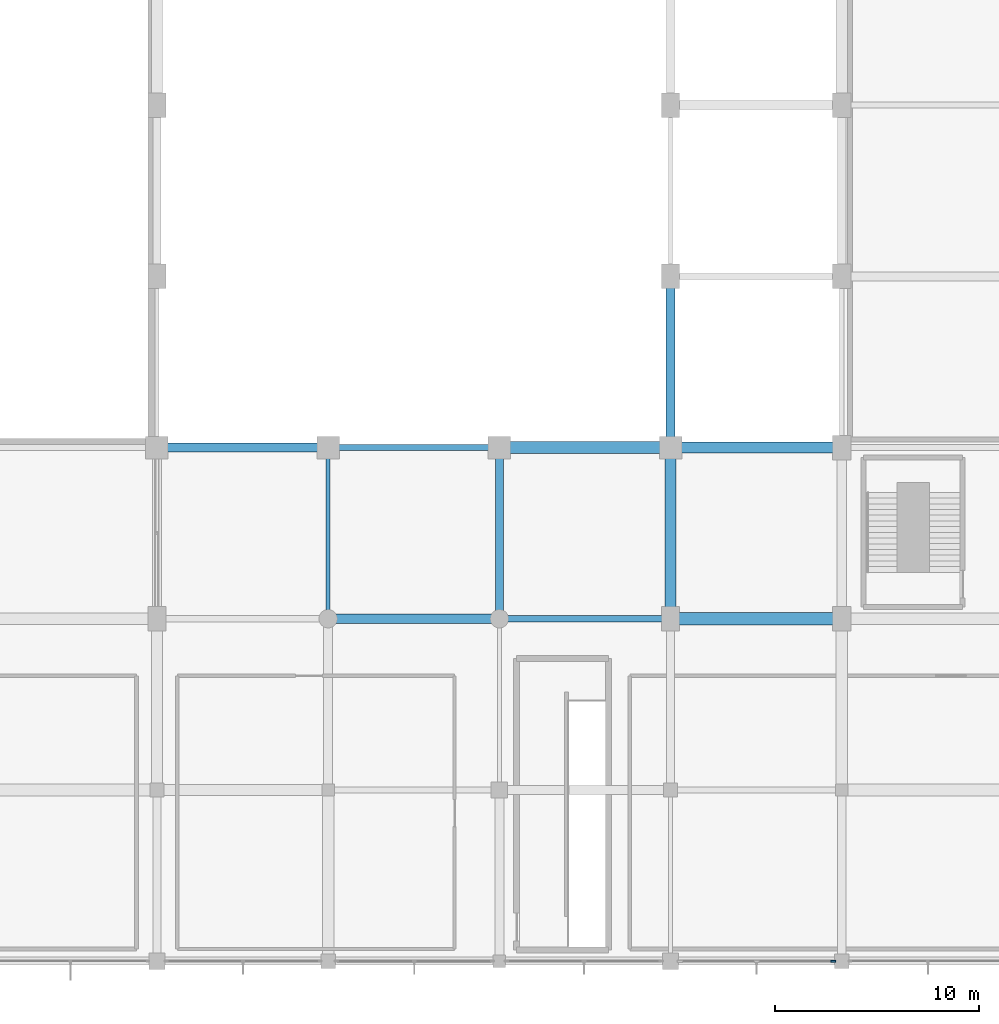
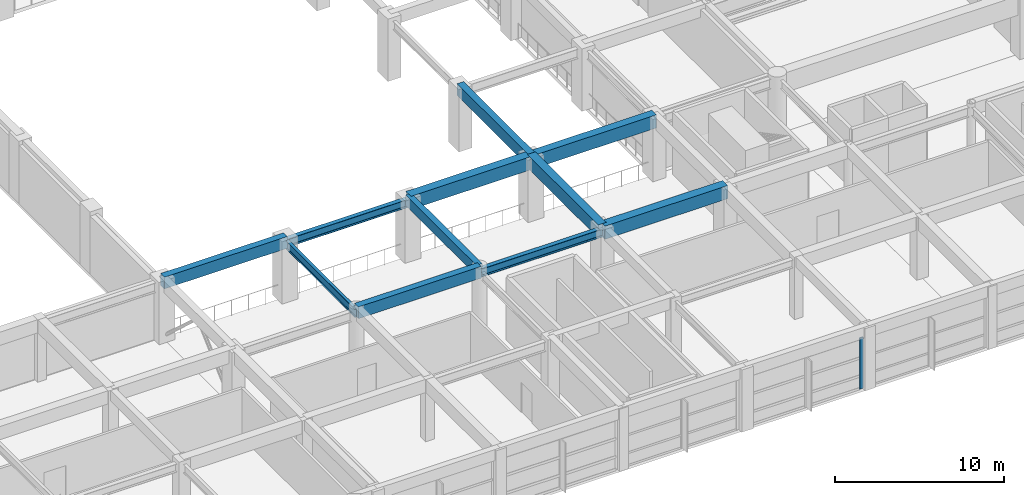
# One storey, part 17 of 56: 11 beams, 1 member, 1 element without a shape of its own.
"""IFC4 building model written with IfcOpenShell, lengths in metres."""

from ifc_helpers import new_model, si_unit, direction, frame, origin, origin_2d, place, context, subcontext, project, spatial, rectangle, i_section, extrude, material, material_profile, profile_set, type_object, element, aggregate, save


model = new_model("IFC4")

# Units and contexts
model_context = context("Model", 3, precision=1e-05, world=origin(), true_north=direction((0.0, 1.0)))
body_context = subcontext(model_context, "Body", "Model", "MODEL_VIEW")
ifc_project = project(units=[si_unit("LENGTHUNIT", "METRE"), si_unit("AREAUNIT", "SQUARE_METRE"), si_unit("VOLUMEUNIT", "CUBIC_METRE"), si_unit("PLANEANGLEUNIT", "RADIAN"), si_unit("MASSUNIT", "GRAM", prefix="KILO")], contexts=[model_context])

# Site, building, storey
site_placement = place(None, origin())
site = spatial("IfcSite", under=ifc_project, at=site_placement, CompositionType="ELEMENT")
building_placement = place(site_placement, origin())
building = spatial("IfcBuilding", under=site, at=building_placement, Name="Xuanlan Plaza Opera House", CompositionType="ELEMENT")
storey_placement = place(building_placement, frame((0.0, 0.0, 18.89990234375)))
storey = spatial("IfcBuildingStorey", under=building, at=storey_placement, Name="L04", CompositionType="ELEMENT", Elevation=18.89990234375)

# Curtain wall, member
ifc_material_1 = material(Name="Anodised Aluminium 6063-T6 and Low-E Glass", Category="aluminium")
curtain_wall_type = type_object("IfcCurtainWallType", Name="ENV-CW-CW-06", PredefinedType="USERDEFINED", material=ifc_material_1)
curtain_wall_placement = place(storey_placement, origin())
curtain_wall = element("IfcCurtainWall", 1, at=curtain_wall_placement, inside=storey, type_object=curtain_wall_type, Name="Acoustic Glazed Wall L04-009", ObjectType="ACOUSTIC GLAZED WALL", PredefinedType="USERDEFINED")
ifc_material_2 = material(Name="Anodised Aluminium 6063-T6", Category="aluminium")
ifc_material_profile_1 = material_profile(ifc_material_2, rectangle(XDim=0.090087890625, YDim=0.25, at=origin_2d()), Name="ALU-M 90x250")
ifc_profile_set_1 = profile_set([ifc_material_profile_1], Name="Anodised Aluminium 6063-T6")
member_type = type_object("IfcMemberType", Name="ENV-CWM-05", PredefinedType="MULLION", material=ifc_profile_set_1)
member_placement = place(storey_placement, frame((100.385009765625, 16.800048828125, 0.0), z_axis=(0.0, 0.0, 1.0), x_axis=(0.0, 1.0, 0.0)))
member = element("IfcMember", 2, at=member_placement, type_object=member_type, Name="CW-06 mullion 3", PredefinedType="MULLION", context=body_context, shape_type="SweptSolid", body=[
    extrude(rectangle(XDim=0.090087890625, YDim=0.25, at=origin_2d()), origin(), (0.0, 0.0, 1.0), 3.68017578125),
])
aggregate(curtain_wall, [member])

# Beams
ifc_material_3 = material(Name="Concrete C50", Category="concrete")
ifc_material_profile_2 = material_profile(ifc_material_3, rectangle(XDim=0.60009765625, YDim=0.949951171875, at=origin_2d()), Name="RC-BM 600x950")
ifc_profile_set_2 = profile_set([ifc_material_profile_2], Name="Concrete C50")
beam_type_1 = type_object("IfcBeamType", Name="STR-BM-B-01", PredefinedType="BEAM", material=ifc_profile_set_2)
beam_1_placement = place(storey_placement, frame((92.39990234375, 33.60009765625, 4.025146484375), z_axis=(1.0, 0.0, 0.0), x_axis=(0.0, 1.0, 0.0)))
element("IfcBeam", 3, at=beam_1_placement, inside=storey, type_object=beam_type_1, Name="Grid Beam X L04 12-13/E", PredefinedType="BEAM", context=body_context, shape_type="SweptSolid", body=[
    extrude(rectangle(XDim=0.60009765625, YDim=0.949951171875, at=origin_2d()), origin(), (0.0, 0.0, 1.0), 8.400146484375),
])
beam_2_placement = place(storey_placement, frame((84.0, 42.0, 4.025146484375), z_axis=(1.0, 0.0, 0.0), x_axis=(0.0, 1.0, 0.0)))
element("IfcBeam", 4, at=beam_2_placement, inside=storey, type_object=beam_type_1, Name="Grid Beam X L04 11-12/F", PredefinedType="BEAM", context=body_context, shape_type="SweptSolid", body=[
    extrude(rectangle(XDim=0.60009765625, YDim=0.949951171875, at=origin_2d()), origin(), (0.0, 0.0, 1.0), 8.39990234375),
])
ifc_material_profile_3 = material_profile(ifc_material_3, rectangle(XDim=0.550048828125, YDim=0.949951171875, at=origin_2d()), Name="RC-BM 550x950")
ifc_profile_set_3 = profile_set([ifc_material_profile_3], Name="Concrete C50")
beam_type_2 = type_object("IfcBeamType", Name="STR-BM-B-02", PredefinedType="BEAM", material=ifc_profile_set_3)
beam_3_placement = place(storey_placement, frame((92.39990234375, 42.0, 4.025146484375), z_axis=(1.0, 0.0, 0.0), x_axis=(0.0, 1.0, 0.0)))
element("IfcBeam", 5, at=beam_3_placement, inside=storey, type_object=beam_type_2, Name="Grid Beam X L04 12-13/F", PredefinedType="BEAM", context=body_context, shape_type="SweptSolid", body=[
    extrude(rectangle(XDim=0.550048828125, YDim=0.949951171875, at=origin_2d()), origin(), (0.0, 0.0, 1.0), 8.400146484375),
])
beam_4_placement = place(storey_placement, frame((92.39990234375, 33.60009765625, 4.025146484375), z_axis=(0.0, 1.0, 0.0), x_axis=(-1.0, 0.0, 0.0)))
element("IfcBeam", 6, at=beam_4_placement, inside=storey, type_object=beam_type_2, Name="Grid Beam Y L04 12/E-F", PredefinedType="BEAM", context=body_context, shape_type="SweptSolid", body=[
    extrude(rectangle(XDim=0.550048828125, YDim=0.949951171875, at=origin_2d()), origin(), (0.0, 0.0, 1.0), 8.39990234375),
])
ifc_material_4 = material(Name="Concrete C40", Category="concrete")
ifc_material_profile_4 = material_profile(ifc_material_4, rectangle(XDim=0.449951171875, YDim=0.85009765625, at=origin_2d()), Name="RC-BM 450x850")
ifc_profile_set_4 = profile_set([ifc_material_profile_4], Name="Concrete C40")
beam_type_3 = type_object("IfcBeamType", Name="STR-BM-B-04", PredefinedType="BEAM", material=ifc_profile_set_4)
beam_5_placement = place(storey_placement, frame((75.60009765625, 33.60009765625, 4.0751953125), z_axis=(1.0, 0.0, 0.0), x_axis=(0.0, 1.0, 0.0)))
element("IfcBeam", 7, at=beam_5_placement, inside=storey, type_object=beam_type_3, Name="Grid Beam X L04 10-11/E", PredefinedType="BEAM", context=body_context, shape_type="SweptSolid", body=[
    extrude(rectangle(XDim=0.449951171875, YDim=0.85009765625, at=origin_2d()), origin(), (0.0, 0.0, 1.0), 8.39990234375),
])
beam_6_placement = place(storey_placement, frame((67.199951171875, 42.0, 4.0751953125), z_axis=(1.0, 0.0, 0.0), x_axis=(0.0, 1.0, 0.0)))
element("IfcBeam", 8, at=beam_6_placement, inside=storey, type_object=beam_type_3, Name="Grid Beam X L04 9-10/F", PredefinedType="BEAM", context=body_context, shape_type="SweptSolid", body=[
    extrude(rectangle(XDim=0.449951171875, YDim=0.85009765625, at=origin_2d()), origin(), (0.0, 0.0, 1.0), 8.400146484375),
])
beam_7_placement = place(storey_placement, frame((92.39990234375, 42.0, 4.0751953125), z_axis=(0.0, 1.0, 0.0), x_axis=(-1.0, 0.0, 0.0)))
element("IfcBeam", 9, at=beam_7_placement, inside=storey, type_object=beam_type_3, Name="Grid Beam Y L04 12/F-G", PredefinedType="BEAM", context=body_context, shape_type="SweptSolid", body=[
    extrude(rectangle(XDim=0.449951171875, YDim=0.85009765625, at=origin_2d()), origin(), (0.0, 0.0, 1.0), 8.39990234375),
])
ifc_material_profile_5 = material_profile(ifc_material_4, rectangle(XDim=0.39990234375, YDim=0.75, at=origin_2d()), Name="RC-BM 400x750")
ifc_profile_set_5 = profile_set([ifc_material_profile_5], Name="Concrete C40")
beam_type_4 = type_object("IfcBeamType", Name="STR-BM-B-06", PredefinedType="BEAM", material=ifc_profile_set_5)
beam_8_placement = place(storey_placement, frame((84.0, 33.60009765625, 4.125), z_axis=(0.0, 1.0, 0.0), x_axis=(-1.0, 0.0, 0.0)))
element("IfcBeam", 10, at=beam_8_placement, inside=storey, type_object=beam_type_4, Name="Grid Beam Y L04 11/E-F", PredefinedType="BEAM", context=body_context, shape_type="SweptSolid", body=[
    extrude(rectangle(XDim=0.39990234375, YDim=0.75, at=origin_2d()), origin(), (0.0, 0.0, 1.0), 8.39990234375),
])
ifc_material_5 = material(Name="Steel Q355B", Category="steel")
ifc_material_profile_6 = material_profile(ifc_material_5, i_section(OverallWidth=0.199951171875, OverallDepth=0.60009765625, WebThickness=0.010986328125, FlangeThickness=0.01708984375, FilletRadius=0.02197265625, at=origin_2d()), Name="HN 600x200x11x17")
ifc_profile_set_6 = profile_set([ifc_material_profile_6], Name="Steel Q355B")
beam_type_5 = type_object("IfcBeamType", Name="STR-BM-SB-04", PredefinedType="BEAM", material=ifc_profile_set_6)
beam_9_placement = place(storey_placement, frame((75.60009765625, 33.60009765625, 3.93505859375), z_axis=(0.0, 1.0, 0.0), x_axis=(-1.0, 0.0, 0.0)))
element("IfcBeam", 11, at=beam_9_placement, inside=storey, type_object=beam_type_5, Name="Grid Beam Y L04 10/E-F", PredefinedType="BEAM", context=body_context, shape_type="SweptSolid", body=[
    extrude(i_section(OverallWidth=0.199951171875, OverallDepth=0.60009765625, WebThickness=0.010986328125, FlangeThickness=0.01708984375, FilletRadius=0.02197265625, at=origin_2d()), origin(), (0.0, 0.0, 1.0), 8.39990234375),
])
ifc_material_profile_7 = material_profile(ifc_material_5, i_section(OverallWidth=0.300048828125, OverallDepth=0.587890625, WebThickness=0.011962890625, FlangeThickness=0.02001953125, FilletRadius=0.02392578125, at=origin_2d()), Name="HM 588x300x12x20")
ifc_profile_set_7 = profile_set([ifc_material_profile_7], Name="Steel Q355B")
beam_type_6 = type_object("IfcBeamType", Name="STR-BM-SB-06", PredefinedType="BEAM", material=ifc_profile_set_7)
for number, where, z_axis, x_axis, name in (
    (12, (84.0, 33.60009765625, 3.941162109375), (1.0, 0.0, 0.0), (0.0, 1.0, 0.0), "Grid Beam X L04 11-12/E"),
    (13, (75.60009765625, 42.0, 3.941162109375), (1.0, 0.0, 0.0), (0.0, 1.0, 0.0), "Grid Beam X L04 10-11/F"),
):
    element("IfcBeam", number, at=place(storey_placement, frame(where, z_axis=z_axis, x_axis=x_axis)), inside=storey, type_object=beam_type_6, Name=name, PredefinedType="BEAM", context=body_context, shape_type="SweptSolid", body=[
        extrude(i_section(OverallWidth=0.300048828125, OverallDepth=0.587890625, WebThickness=0.011962890625, FlangeThickness=0.02001953125, FilletRadius=0.02392578125, at=origin_2d()), origin(), (0.0, 0.0, 1.0), 8.39990234375),
    ])

save(model, "model.ifc")
